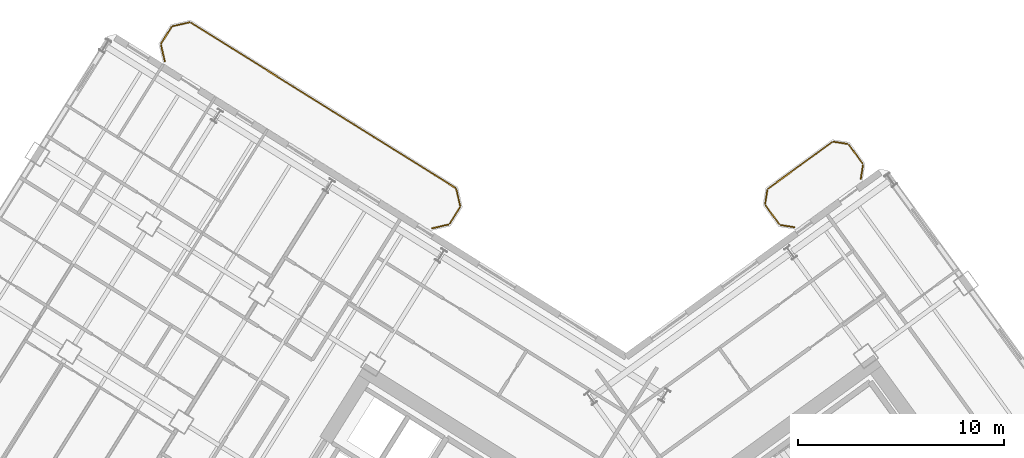
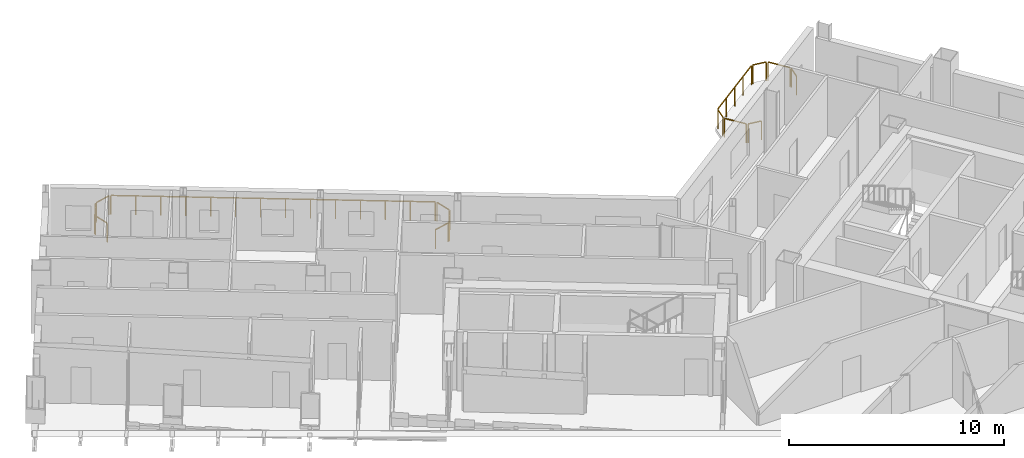
# One storey, part 21 of 21: 14 railings.
"""IFC4 building model written with IfcOpenShell, lengths in metres."""

from ifc_helpers import new_model, si_unit, direction, frame, origin, origin_2d, place, context, subcontext, project, spatial, rectangle, extrude, source, transform, mapped, material, type_object, element, save


model = new_model("IFC4")

# Units and contexts
model_context = context("Model", 3, precision=1e-05, world=origin(), true_north=direction((0.0, 1.0)))
body_context = subcontext(model_context, "Body", "Model", "MODEL_VIEW")
ifc_project = project(units=[si_unit("LENGTHUNIT", "METRE"), si_unit("AREAUNIT", "SQUARE_METRE"), si_unit("VOLUMEUNIT", "CUBIC_METRE"), si_unit("PLANEANGLEUNIT", "RADIAN"), si_unit("MASSUNIT", "GRAM", prefix="KILO")], contexts=[model_context])

# Site, building, storey
site_placement = place(None, origin())
site = spatial("IfcSite", under=ifc_project, at=site_placement, CompositionType="ELEMENT")
building_placement = place(site_placement, origin())
building = spatial("IfcBuilding", under=site, at=building_placement, Name="Tlacorven Tower", CompositionType="ELEMENT")
storey_placement = place(building_placement, frame((0.0, 0.0, 93.60009765625)))
storey = spatial("IfcBuildingStorey", under=building, at=storey_placement, Name="L23", CompositionType="ELEMENT", Elevation=93.60009765625)

# Railings
ifc_material = material(Name="Aluminium and painted steel balustrade", Category="steel")
railing_type = type_object("IfcRailingType", Name="RL-BAL-1100", PredefinedType="BALUSTRADE", material=ifc_material)
shared_shape_1 = source(origin(), body_context, "Body", "SweptSolid", [
    extrude(rectangle(XDim=0.048095703125, YDim=0.048095703125, at=origin_2d()), frame((0.0, 0.0, 1.076171875), z_axis=(0.974345290916, 0.225058334816, 0.0), x_axis=(-0.225058334816, 0.974345290916, 0.0)), (0.0, 0.0, 1.0), 0.80712890625),
    extrude(rectangle(XDim=0.0419921875, YDim=0.0419921875, at=origin_2d()), origin(), (0.0, 0.0, 1.0), 1.052001953125),
    extrude(rectangle(XDim=0.0419921875, YDim=0.0419921875, at=origin_2d()), frame((0.786376953125, 0.181640625, 0.0)), (0.0, 0.0, 1.0), 1.052001953125),
])
railing_1_placement = place(storey_placement, frame((20.2138671875, 47.643798828125, 0.0)))
element("IfcRailing", 1, at=railing_1_placement, inside=storey, type_object=railing_type, Name="BAL-L23-W-IN Guard Railing 6", PredefinedType="BALUSTRADE", context=body_context, shape_type="MappedRepresentation", body=[
    mapped(shared_shape_1, transform((0.0, 0.0, 0.0), scale=1.0)),
])
shared_shape_2 = source(origin(), body_context, "Body", "SweptSolid", [
    extrude(rectangle(XDim=0.048095703125, YDim=0.048095703125, at=origin_2d()), frame((0.0, 0.0, 1.076171875), z_axis=(-0.987661653326, 0.156602868908, 0.0), x_axis=(-0.156602868908, -0.987661653326, 0.0)), (0.0, 0.0, 1.0), 0.665771484375),
    extrude(rectangle(XDim=0.0419921875, YDim=0.0419921875, at=origin_2d()), origin(), (0.0, 0.0, 1.0), 1.052001953125),
    extrude(rectangle(XDim=0.0419921875, YDim=0.0419921875, at=origin_2d()), frame((-0.657470703125, 0.104248046875, 0.0)), (0.0, 0.0, 1.0), 1.052001953125),
])
railing_2_placement = place(storey_placement, frame((50.359130859375, 37.891845703125, 0.0)))
element("IfcRailing", 2, at=railing_2_placement, inside=storey, type_object=railing_type, Name="BAL-L23-E-IN Guard Railing 1", PredefinedType="BALUSTRADE", context=body_context, shape_type="MappedRepresentation", body=[
    mapped(shared_shape_2, transform((0.0, 0.0, 0.0), scale=1.0)),
])
shared_shape_3 = source(origin(), body_context, "Body", "SweptSolid", [
    extrude(rectangle(XDim=0.048095703125, YDim=0.048095703125, at=origin_2d()), frame((0.0, 0.0, 1.076171875), z_axis=(0.156602868908, 0.987661653326, 0.0), x_axis=(-0.987661653326, 0.156602868908, 0.0)), (0.0, 0.0, 1.0), 0.665771484375),
    extrude(rectangle(XDim=0.0419921875, YDim=0.0419921875, at=origin_2d()), origin(), (0.0, 0.0, 1.0), 1.052001953125),
    extrude(rectangle(XDim=0.0419921875, YDim=0.0419921875, at=origin_2d()), frame((0.104248046875, 0.657470703125, 0.0)), (0.0, 0.0, 1.0), 1.052001953125),
])
railing_3_placement = place(storey_placement, frame((48.947509765625, 39.033935546875, 0.0)))
element("IfcRailing", 3, at=railing_3_placement, inside=storey, type_object=railing_type, Name="BAL-L23-E-IN Guard Railing 3", PredefinedType="BALUSTRADE", context=body_context, shape_type="MappedRepresentation", body=[
    mapped(shared_shape_3, transform((0.0, 0.0, 0.0), scale=1.0)),
])
shared_shape_4 = source(origin(), body_context, "Body", "SweptSolid", [
    extrude(rectangle(XDim=0.048095703125, YDim=0.048095703125, at=origin_2d()), frame((0.0, 0.0, 1.076171875), z_axis=(-0.156245081039, -0.987718317463, 0.0), x_axis=(0.987718317463, -0.156245081039, 0.0)), (0.0, 0.0, 1.0), 0.66552734375),
    extrude(rectangle(XDim=0.0419921875, YDim=0.0419921875, at=origin_2d()), origin(), (0.0, 0.0, 1.0), 1.052001953125),
    extrude(rectangle(XDim=0.0419921875, YDim=0.0419921875, at=origin_2d()), frame((-0.10400390625, -0.657470703125, 0.0)), (0.0, 0.0, 1.0), 1.052001953125),
])
railing_4_placement = place(storey_placement, frame((53.689453125, 40.893310546875, 0.0)))
element("IfcRailing", 4, at=railing_4_placement, inside=storey, type_object=railing_type, Name="BAL-L23-E-IN Guard Railing 7", PredefinedType="BALUSTRADE", context=body_context, shape_type="MappedRepresentation", body=[
    mapped(shared_shape_4, transform((0.0, 0.0, 0.0), scale=1.0)),
])
shared_shape_5 = source(origin(), body_context, "Body", "SweptSolid", [
    extrude(rectangle(XDim=0.048095703125, YDim=0.048095703125, at=origin_2d()), frame((0.0, 0.0, 1.076171875), z_axis=(0.529998940003, 0.847998304005, 0.0), x_axis=(-0.847998304005, 0.529998940003, 0.0)), (0.0, 0.0, 1.0), 0.912109375),
    extrude(rectangle(XDim=0.0419921875, YDim=0.0419921875, at=origin_2d()), origin(), (0.0, 0.0, 1.0), 1.052001953125),
    extrude(rectangle(XDim=0.0419921875, YDim=0.0419921875, at=origin_2d()), frame((0.4833984375, 0.7734375, 0.0)), (0.0, 0.0, 1.0), 1.052001953125),
])
railing_5_placement = place(storey_placement, frame((19.6552734375, 46.816650390625, 0.0)))
element("IfcRailing", 5, at=railing_5_placement, inside=storey, type_object=railing_type, Name="BAL-L23-W-IN Guard Railing 5", PredefinedType="BALUSTRADE", context=body_context, shape_type="MappedRepresentation", body=[
    mapped(shared_shape_5, transform((0.0, 0.0, 0.0), scale=1.0)),
])
shared_shape_6 = source(origin(), body_context, "Body", "SweptSolid", [
    extrude(rectangle(XDim=0.048095703125, YDim=0.048095703125, at=origin_2d()), frame((0.0, 0.0, 1.076171875), z_axis=(0.224992020761, -0.974360606036, 0.0), x_axis=(0.974360606036, 0.224992020761, 0.0)), (0.0, 0.0, 1.0), 0.807373046875),
    extrude(rectangle(XDim=0.0419921875, YDim=0.0419921875, at=origin_2d()), origin(), (0.0, 0.0, 1.0), 1.052001953125),
    extrude(rectangle(XDim=0.0419921875, YDim=0.0419921875, at=origin_2d()), frame((0.181640625, -0.78662109375, 0.0)), (0.0, 0.0, 1.0), 1.052001953125),
])
railing_6_placement = place(storey_placement, frame((33.965087890625, 39.72412109375, 0.0)))
element("IfcRailing", 6, at=railing_6_placement, inside=storey, type_object=railing_type, Name="BAL-L23-W-IN Guard Railing 1", PredefinedType="BALUSTRADE", context=body_context, shape_type="MappedRepresentation", body=[
    mapped(shared_shape_6, transform((0.0, 0.0, 0.0), scale=1.0)),
])
shared_shape_7 = source(origin(), body_context, "Body", "SweptSolid", [
    extrude(rectangle(XDim=0.048095703125, YDim=0.048095703125, at=origin_2d()), frame((0.0, 0.0, 1.076171875), z_axis=(-0.529998940003, -0.847998304005, 0.0), x_axis=(0.847998304005, -0.529998940003, 0.0)), (0.0, 0.0, 1.0), 0.912109375),
    extrude(rectangle(XDim=0.0419921875, YDim=0.0419921875, at=origin_2d()), origin(), (0.0, 0.0, 1.0), 1.052001953125),
    extrude(rectangle(XDim=0.0419921875, YDim=0.0419921875, at=origin_2d()), frame((-0.4833984375, -0.7734375, 0.0)), (0.0, 0.0, 1.0), 1.052001953125),
])
railing_7_placement = place(storey_placement, frame((34.131591796875, 38.846435546875, 0.0)))
element("IfcRailing", 7, at=railing_7_placement, inside=storey, type_object=railing_type, Name="BAL-L23-W-IN Guard Railing 2", PredefinedType="BALUSTRADE", context=body_context, shape_type="MappedRepresentation", body=[
    mapped(shared_shape_7, transform((0.0, 0.0, 0.0), scale=1.0)),
])
shared_shape_8 = source(origin(), body_context, "Body", "SweptSolid", [
    extrude(rectangle(XDim=0.048095703125, YDim=0.048095703125, at=origin_2d()), frame((0.0, 0.0, 1.076171875), z_axis=(-0.974360606036, -0.224992020761, 0.0), x_axis=(0.224992020761, -0.974360606036, 0.0)), (0.0, 0.0, 1.0), 0.807373046875),
    extrude(rectangle(XDim=0.0419921875, YDim=0.0419921875, at=origin_2d()), origin(), (0.0, 0.0, 1.0), 1.052001953125),
    extrude(rectangle(XDim=0.0419921875, YDim=0.0419921875, at=origin_2d()), frame((-0.78662109375, -0.181640625, 0.0)), (0.0, 0.0, 1.0), 1.052001953125),
])
railing_8_placement = place(storey_placement, frame((33.572998046875, 38.019287109375, 0.0)))
element("IfcRailing", 8, at=railing_8_placement, inside=storey, type_object=railing_type, Name="BAL-L23-W-IN Guard Railing 3", PredefinedType="BALUSTRADE", context=body_context, shape_type="MappedRepresentation", body=[
    mapped(shared_shape_8, transform((0.0, 0.0, 0.0), scale=1.0)),
])
shared_shape_9 = source(origin(), body_context, "Body", "SweptSolid", [
    extrude(rectangle(XDim=0.048095703125, YDim=0.048095703125, at=origin_2d()), frame((0.0, 0.0, 1.076171875), z_axis=(-0.22470489119, 0.974426863277, 0.0), x_axis=(-0.974426863277, -0.22470489119, 0.0)), (0.0, 0.0, 1.0), 0.807373046875),
    extrude(rectangle(XDim=0.0419921875, YDim=0.0419921875, at=origin_2d()), origin(), (0.0, 0.0, 1.0), 1.052001953125),
    extrude(rectangle(XDim=0.0419921875, YDim=0.0419921875, at=origin_2d()), frame((-0.181396484375, 0.78662109375, 0.0)), (0.0, 0.0, 1.0), 1.052001953125),
])
railing_9_placement = place(storey_placement, frame((19.821533203125, 45.93896484375, 0.0)))
element("IfcRailing", 9, at=railing_9_placement, inside=storey, type_object=railing_type, Name="BAL-L23-W-IN Guard Railing 4", PredefinedType="BALUSTRADE", context=body_context, shape_type="MappedRepresentation", body=[
    mapped(shared_shape_9, transform((0.0, 0.0, 0.0), scale=1.0)),
])
shared_shape_10 = source(origin(), body_context, "Body", "SweptSolid", [
    extrude(rectangle(XDim=0.048095703125, YDim=0.048095703125, at=origin_2d()), frame((0.0, 0.0, 1.076171875), z_axis=(0.848051830527, -0.529913287944, 0.0), x_axis=(0.529913287944, 0.848051830527, 0.0)), (0.0, 0.0, 1.0), 15.1171875),
    extrude(rectangle(XDim=0.0419921875, YDim=0.0419921875, at=origin_2d()), origin(), (0.0, 0.0, 1.0), 1.052001953125),
    extrude(rectangle(XDim=0.0419921875, YDim=0.0419921875, at=origin_2d()), frame((0.986083984375, -0.6162109375, 0.0)), (0.0, 0.0, 1.0), 1.052001953125),
    extrude(rectangle(XDim=0.0419921875, YDim=0.0419921875, at=origin_2d()), frame((1.972412109375, -1.232421875, 0.0)), (0.0, 0.0, 1.0), 1.052001953125),
    extrude(rectangle(XDim=0.0419921875, YDim=0.0419921875, at=origin_2d()), frame((2.95849609375, -1.8486328125, 0.0)), (0.0, 0.0, 1.0), 1.052001953125),
    extrude(rectangle(XDim=0.0419921875, YDim=0.0419921875, at=origin_2d()), frame((3.944580078125, -2.46484375, 0.0)), (0.0, 0.0, 1.0), 1.052001953125),
    extrude(rectangle(XDim=0.0419921875, YDim=0.0419921875, at=origin_2d()), frame((4.930908203125, -3.0810546875, 0.0)), (0.0, 0.0, 1.0), 1.052001953125),
    extrude(rectangle(XDim=0.0419921875, YDim=0.0419921875, at=origin_2d()), frame((5.9169921875, -3.697265625, 0.0)), (0.0, 0.0, 1.0), 1.052001953125),
    extrude(rectangle(XDim=0.0419921875, YDim=0.0419921875, at=origin_2d()), frame((6.903076171875, -4.3134765625, 0.0)), (0.0, 0.0, 1.0), 1.052001953125),
    extrude(rectangle(XDim=0.0419921875, YDim=0.0419921875, at=origin_2d()), frame((7.88916015625, -4.9296875, 0.0)), (0.0, 0.0, 1.0), 1.052001953125),
    extrude(rectangle(XDim=0.0419921875, YDim=0.0419921875, at=origin_2d()), frame((8.87548828125, -5.5458984375, 0.0)), (0.0, 0.0, 1.0), 1.052001953125),
    extrude(rectangle(XDim=0.0419921875, YDim=0.0419921875, at=origin_2d()), frame((9.861572265625, -6.162109375, 0.0)), (0.0, 0.0, 1.0), 1.052001953125),
    extrude(rectangle(XDim=0.0419921875, YDim=0.0419921875, at=origin_2d()), frame((10.84765625, -6.7783203125, 0.0)), (0.0, 0.0, 1.0), 1.052001953125),
    extrude(rectangle(XDim=0.0419921875, YDim=0.0419921875, at=origin_2d()), frame((11.833984375, -7.39453125, 0.0)), (0.0, 0.0, 1.0), 1.052001953125),
    extrude(rectangle(XDim=0.0419921875, YDim=0.0419921875, at=origin_2d()), frame((12.820068359375, -8.0107421875, 0.0)), (0.0, 0.0, 1.0), 1.052001953125),
])
railing_10_placement = place(storey_placement, frame((21.091552734375, 47.81005859375, 0.0)))
element("IfcRailing", 10, at=railing_10_placement, inside=storey, type_object=railing_type, Name="BAL-L23-W-IN Guard Railing 7", PredefinedType="BALUSTRADE", context=body_context, shape_type="MappedRepresentation", body=[
    mapped(shared_shape_10, transform((0.0, 0.0, 0.0), scale=1.0)),
])
shared_shape_11 = source(origin(), body_context, "Body", "SweptSolid", [
    extrude(rectangle(XDim=0.048095703125, YDim=0.048095703125, at=origin_2d()), frame((0.0, 0.0, 1.076171875), z_axis=(-0.587636431696, 0.809125097957, 0.0), x_axis=(-0.809125097957, -0.587636431696, 0.0)), (0.0, 0.0, 1.0), 1.1123046875),
    extrude(rectangle(XDim=0.0419921875, YDim=0.0419921875, at=origin_2d()), origin(), (0.0, 0.0, 1.0), 1.052001953125),
    extrude(rectangle(XDim=0.0419921875, YDim=0.0419921875, at=origin_2d()), frame((-0.653564453125, 0.89990234375, 0.0)), (0.0, 0.0, 1.0), 1.052001953125),
])
railing_11_placement = place(storey_placement, frame((49.622802734375, 38.044189453125, 0.0)))
element("IfcRailing", 11, at=railing_11_placement, inside=storey, type_object=railing_type, Name="BAL-L23-E-IN Guard Railing 2", PredefinedType="BALUSTRADE", context=body_context, shape_type="MappedRepresentation", body=[
    mapped(shared_shape_11, transform((0.0, 0.0, 0.0), scale=1.0)),
])
shared_shape_12 = source(origin(), body_context, "Body", "SweptSolid", [
    extrude(rectangle(XDim=0.048095703125, YDim=0.048095703125, at=origin_2d()), frame((0.0, 0.0, 1.076171875), z_axis=(0.809018102573, 0.587783726986, 0.0), x_axis=(-0.587783726986, 0.809018102573, 0.0)), (0.0, 0.0, 1.0), 3.817138671875),
    extrude(rectangle(XDim=0.0419921875, YDim=0.0419921875, at=origin_2d()), origin(), (0.0, 0.0, 1.0), 1.052001953125),
    extrude(rectangle(XDim=0.0419921875, YDim=0.0419921875, at=origin_2d()), frame((0.77197265625, 0.56103515625, 0.0)), (0.0, 0.0, 1.0), 1.052001953125),
    extrude(rectangle(XDim=0.0419921875, YDim=0.0419921875, at=origin_2d()), frame((1.5439453125, 1.121826171875, 0.0)), (0.0, 0.0, 1.0), 1.052001953125),
    extrude(rectangle(XDim=0.0419921875, YDim=0.0419921875, at=origin_2d()), frame((2.316162109375, 1.6826171875, 0.0)), (0.0, 0.0, 1.0), 1.052001953125),
    extrude(rectangle(XDim=0.0419921875, YDim=0.0419921875, at=origin_2d()), frame((3.088134765625, 2.24365234375, 0.0)), (0.0, 0.0, 1.0), 1.052001953125),
])
railing_12_placement = place(storey_placement, frame((49.10009765625, 39.77001953125, 0.0)))
element("IfcRailing", 12, at=railing_12_placement, inside=storey, type_object=railing_type, Name="BAL-L23-E-IN Guard Railing 4", PredefinedType="BALUSTRADE", context=body_context, shape_type="MappedRepresentation", body=[
    mapped(shared_shape_12, transform((0.0, 0.0, 0.0), scale=1.0)),
])
shared_shape_13 = source(origin(), body_context, "Body", "SweptSolid", [
    extrude(rectangle(XDim=0.048095703125, YDim=0.048095703125, at=origin_2d()), frame((0.0, 0.0, 1.076171875), z_axis=(0.987661653326, -0.156602868908, 0.0), x_axis=(0.156602868908, 0.987661653326, 0.0)), (0.0, 0.0, 1.0), 0.665771484375),
    extrude(rectangle(XDim=0.0419921875, YDim=0.0419921875, at=origin_2d()), origin(), (0.0, 0.0, 1.0), 1.052001953125),
    extrude(rectangle(XDim=0.0419921875, YDim=0.0419921875, at=origin_2d()), frame((0.657470703125, -0.104248046875, 0.0)), (0.0, 0.0, 1.0), 1.052001953125),
])
railing_13_placement = place(storey_placement, frame((52.278076171875, 42.035400390625, 0.0)))
element("IfcRailing", 13, at=railing_13_placement, inside=storey, type_object=railing_type, Name="BAL-L23-E-IN Guard Railing 5", PredefinedType="BALUSTRADE", context=body_context, shape_type="MappedRepresentation", body=[
    mapped(shared_shape_13, transform((0.0, 0.0, 0.0), scale=1.0)),
])
shared_shape_14 = source(origin(), body_context, "Body", "SweptSolid", [
    extrude(rectangle(XDim=0.048095703125, YDim=0.048095703125, at=origin_2d()), frame((0.0, 0.0, 1.076171875), z_axis=(0.587780115446, -0.809020726488, 0.0), x_axis=(0.809020726488, 0.587780115446, 0.0)), (0.0, 0.0, 1.0), 1.1123046875),
    extrude(rectangle(XDim=0.0419921875, YDim=0.0419921875, at=origin_2d()), origin(), (0.0, 0.0, 1.0), 1.052001953125),
    extrude(rectangle(XDim=0.0419921875, YDim=0.0419921875, at=origin_2d()), frame((0.65380859375, -0.89990234375, 0.0)), (0.0, 0.0, 1.0), 1.052001953125),
])
railing_14_placement = place(storey_placement, frame((53.01416015625, 41.883056640625, 0.0)))
element("IfcRailing", 14, at=railing_14_placement, inside=storey, type_object=railing_type, Name="BAL-L23-E-IN Guard Railing 6", PredefinedType="BALUSTRADE", context=body_context, shape_type="MappedRepresentation", body=[
    mapped(shared_shape_14, transform((0.0, 0.0, 0.0), scale=1.0)),
])

save(model, "model.ifc")
